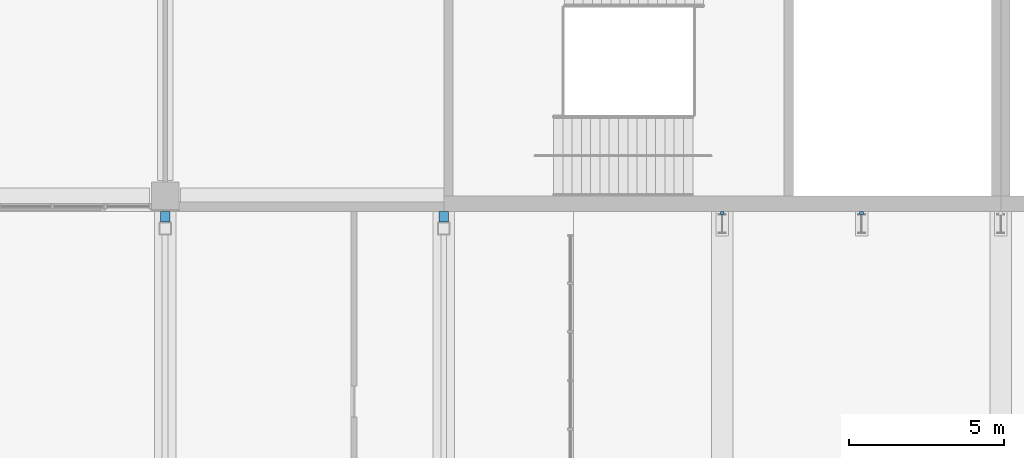
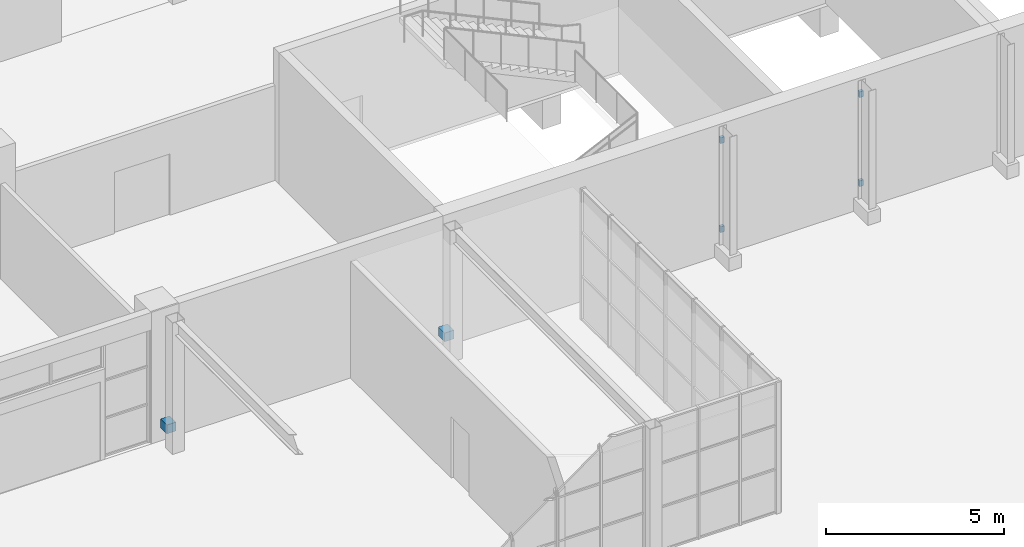
# One storey, part 126 of 168: 6 discrete accessories.
"""IFC4 building model written with IfcOpenShell, lengths in metres."""

from ifc_helpers import new_model, si_unit, direction, frame, origin, origin_2d, place, context, subcontext, project, spatial, rectangle, extrude, material, type_object, element, save


model = new_model("IFC4")

# Units and contexts
model_context = context("Model", 3, precision=1e-05, world=origin(), true_north=direction((0.0, 1.0)))
body_context = subcontext(model_context, "Body", "Model", "MODEL_VIEW")
ifc_project = project(units=[si_unit("LENGTHUNIT", "METRE"), si_unit("AREAUNIT", "SQUARE_METRE"), si_unit("VOLUMEUNIT", "CUBIC_METRE"), si_unit("PLANEANGLEUNIT", "RADIAN"), si_unit("MASSUNIT", "GRAM", prefix="KILO")], contexts=[model_context])

# Site, building, storey
site_placement = place(None, origin())
site = spatial("IfcSite", under=ifc_project, at=site_placement, CompositionType="ELEMENT")
building_placement = place(site_placement, origin())
building = spatial("IfcBuilding", under=site, at=building_placement, Name="Silverbay Arena", CompositionType="ELEMENT")
storey_placement = place(building_placement, frame((0.0, 0.0, 7.0)))
storey = spatial("IfcBuildingStorey", under=building, at=storey_placement, Name="L01", CompositionType="ELEMENT", Elevation=7.0)

# Discrete accessories
ifc_material = material(Name="Steel S355", Category="steel")
discrete_accessory_type = type_object("IfcDiscreteAccessoryType", Name="Steel bracket plate", PredefinedType="BRACKET", material=ifc_material)
for number, where, z_axis, x_axis, name in (
    (1, (153.0, 17.449951171875, 0.85009765625), (0.0, 0.0, 1.0), (1.0, 0.0, 0.0), "Fin bracket"),
    (2, (153.0, 17.449951171875, 3.89990234375), (0.0, 0.0, 1.0), (1.0, 0.0, 0.0), "Fin bracket"),
    (3, (157.5, 17.449951171875, 0.85009765625), (0.0, 0.0, 1.0), (1.0, 0.0, 0.0), "Fin bracket"),
    (4, (157.5, 17.449951171875, 3.89990234375), (0.0, 0.0, 1.0), (1.0, 0.0, 0.0), "Fin bracket"),
):
    element("IfcDiscreteAccessory", number, at=place(storey_placement, frame(where, z_axis=z_axis, x_axis=x_axis)), inside=storey, type_object=discrete_accessory_type, Name=name, PredefinedType="BRACKET", context=body_context, shape_type="SweptSolid", body=[
        extrude(rectangle(XDim=0.1201171875, YDim=0.10009765625, at=origin_2d()), origin(), (0.0, 0.0, 1.0), 0.199951171875),
    ])
for number, where, z_axis, x_axis, name in (
    (5, (135.0, 17.324951171875, 0.4501953125), (0.0, 0.0, 1.0), (1.0, 0.0, 0.0), "Hall column bracket plate"),
    (6, (144.0, 17.324951171875, 0.4501953125), (0.0, 0.0, 1.0), (1.0, 0.0, 0.0), "Hall column bracket plate"),
):
    element("IfcDiscreteAccessory", number, at=place(storey_placement, frame(where, z_axis=z_axis, x_axis=x_axis)), inside=storey, type_object=discrete_accessory_type, Name=name, PredefinedType="BRACKET", context=body_context, shape_type="SweptSolid", body=[
        extrude(rectangle(XDim=0.300048828125, YDim=0.35009765625, at=origin_2d()), origin(), (0.0, 0.0, 1.0), 0.300048828125),
    ])

save(model, "model.ifc")
